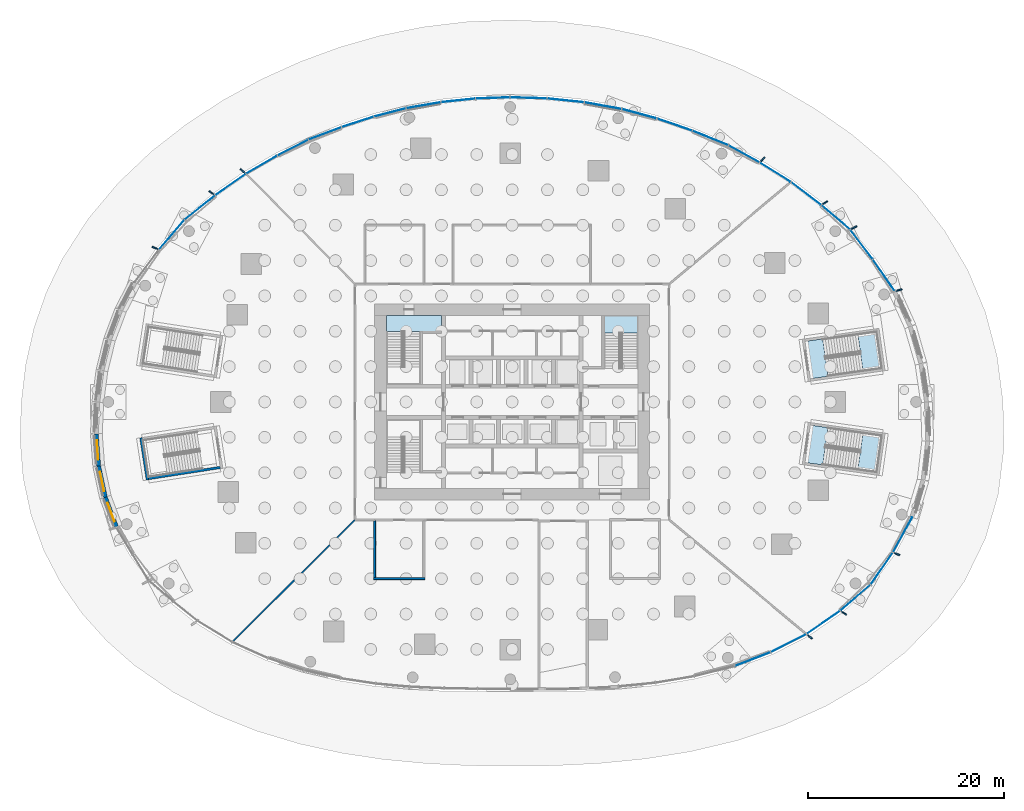
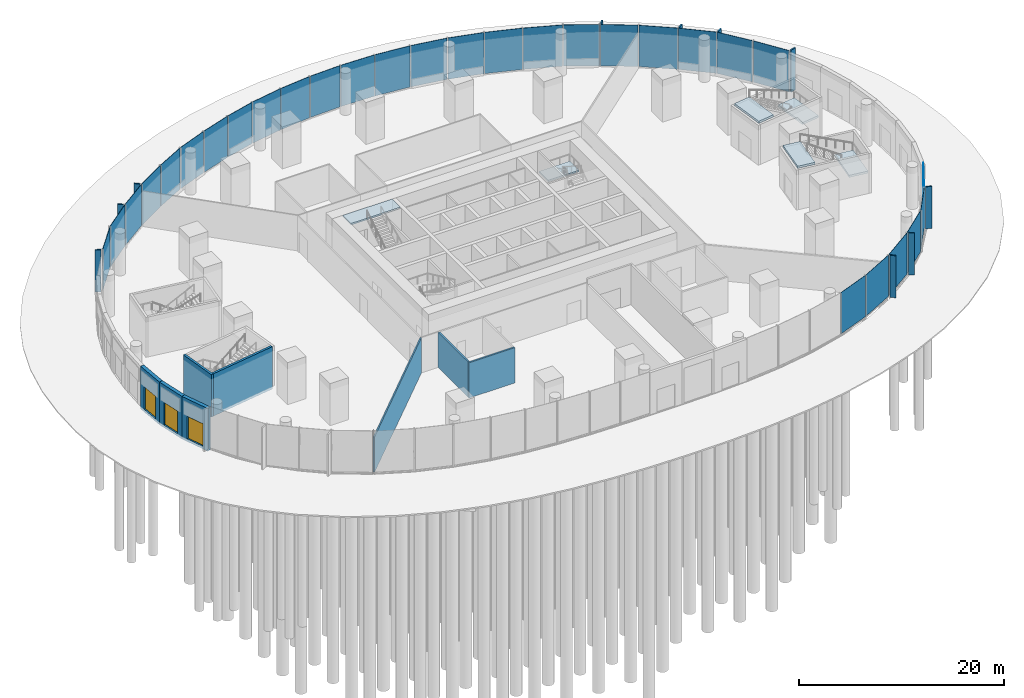
# One storey, part 11 of 29: 39 plates, 8 walls, 6 slabs, 3 doors, 3 openings, 14 elements without a shape of their own.
"""IFC4 building model written with IfcOpenShell, lengths in metres."""

from ifc_helpers import new_model, si_unit, direction, frame, frame_2d, origin, origin_2d, place, context, subcontext, project, spatial, polyline, rectangle, outline, extrude, material, layer, layer_set, type_object, element, fill, aggregate, save


model = new_model("IFC4")

# Units and contexts
model_context = context("Model", 3, precision=1e-05, world=origin(), true_north=direction((0.0, 1.0)))
body_context = subcontext(model_context, "Body", "Model", "MODEL_VIEW")
ifc_project = project(units=[si_unit("LENGTHUNIT", "METRE"), si_unit("AREAUNIT", "SQUARE_METRE"), si_unit("VOLUMEUNIT", "CUBIC_METRE"), si_unit("PLANEANGLEUNIT", "RADIAN"), si_unit("MASSUNIT", "GRAM", prefix="KILO")], contexts=[model_context])

# Site, building, storey
site_placement = place(None, origin())
site = spatial("IfcSite", under=ifc_project, at=site_placement, CompositionType="ELEMENT")
building_placement = place(site_placement, origin())
building = spatial("IfcBuilding", under=site, at=building_placement, Name="Ghaith Harvest Tower", CompositionType="ELEMENT")
storey_placement = place(building_placement, origin())
storey = spatial("IfcBuildingStorey", under=building, at=storey_placement, Name="L00", CompositionType="ELEMENT", Elevation=0.0)

# Curtain wall, plates
ifc_material_1 = material(Name="Black anodised aluminium and fritted glass", Category="aluminium")
curtain_wall_type = type_object("IfcCurtainWallType", Name="CW-P CURTAIN WALL", PredefinedType="NOTDEFINED", material=ifc_material_1)
curtain_wall_1_placement = place(storey_placement, origin())
curtain_wall_1 = element("IfcCurtainWall", 1, at=curtain_wall_1_placement, inside=storey, type_object=curtain_wall_type, Name="Curtain wall CW-P bay 02 L00", PredefinedType="NOTDEFINED")
ifc_material_2 = material(Name="Glass, dark solar-control fritted double glazed unit", Category="glass")
ifc_layer_1 = layer(ifc_material_2, 0.035888671875)
ifc_layer_set_1 = layer_set([ifc_layer_1], Name="CW-P VISION PANEL")
plate_type_1 = type_object("IfcPlateType", Name="CW-P VISION PANEL", PredefinedType="CURTAIN_PANEL", material=ifc_layer_set_1)
plate_1_placement = place(storey_placement, frame((37.86181640625, 12.89599609375, 0.080078125), z_axis=(0.0, 0.0, 1.0), x_axis=(-0.568319762502, 0.822807782869, 0.0)))
plate_1 = element("IfcPlate", 2, at=plate_1_placement, type_object=plate_type_1, Name="CW-P glass unit 1 bay 02 L00", PredefinedType="CURTAIN_PANEL", context=body_context, shape_type="SweptSolid", body=[
    extrude(rectangle(XDim=3.87744140625, YDim=0.035888671875, at=origin_2d()), origin(), (0.0, 0.0, 1.0), 4.919921875),
])
plate_2_placement = place(storey_placement, frame((35.58056640625, 16.040283203125, 0.080078125), z_axis=(0.0, 0.0, 1.0), x_axis=(-0.606572464955, 0.79502820375, 0.0)))
plate_2 = element("IfcPlate", 3, at=plate_2_placement, type_object=plate_type_1, Name="CW-P glass unit 2 bay 02 L00", PredefinedType="CURTAIN_PANEL", context=body_context, shape_type="SweptSolid", body=[
    extrude(rectangle(XDim=3.734375, YDim=0.035888671875, at=origin_2d()), origin(), (0.0, 0.0, 1.0), 4.919921875),
])
plate_3_placement = place(storey_placement, frame((32.95703125, 18.798583984375, 0.080078125), z_axis=(0.0, 0.0, 1.0), x_axis=(-0.763058226753, 0.646329747563, 0.0)))
plate_3 = element("IfcPlate", 4, at=plate_3_placement, type_object=plate_type_1, Name="CW-P glass unit 3 bay 02 L00", PredefinedType="CURTAIN_PANEL", context=body_context, shape_type="SweptSolid", body=[
    extrude(rectangle(XDim=3.763916015625, YDim=0.035888671875, at=origin_2d()), origin(), (0.0, 0.0, 1.0), 4.919921875),
])
aggregate(curtain_wall_1, [plate_1, plate_2, plate_3])

curtain_wall_2_placement = place(storey_placement, origin())
curtain_wall_2 = element("IfcCurtainWall", 5, at=curtain_wall_2_placement, inside=storey, type_object=curtain_wall_type, Name="Curtain wall CW-P bay 03 L00", PredefinedType="NOTDEFINED")
plate_4_placement = place(storey_placement, frame((29.939208984375, 21.217529296875, 0.080078125), z_axis=(0.0, 0.0, 1.0), x_axis=(-0.796789304004, 0.604257234152, 0.0)))
plate_4 = element("IfcPlate", 6, at=plate_4_placement, type_object=plate_type_1, Name="CW-P glass unit 1 bay 03 L00", PredefinedType="CURTAIN_PANEL", context=body_context, shape_type="SweptSolid", body=[
    extrude(rectangle(XDim=3.814208984375, YDim=0.035888671875, at=origin_2d()), origin(), (0.0, 0.0, 1.0), 4.919921875),
])
plate_5_placement = place(storey_placement, frame((26.792236328125, 23.390625, 0.080078125), z_axis=(0.0, 0.0, 1.0), x_axis=(-0.848104662125, 0.529828729008, 0.0)))
plate_5 = element("IfcPlate", 7, at=plate_5_placement, type_object=plate_type_1, Name="CW-P glass unit 2 bay 03 L00", PredefinedType="CURTAIN_PANEL", context=body_context, shape_type="SweptSolid", body=[
    extrude(rectangle(XDim=3.68212890625, YDim=0.035888671875, at=origin_2d()), origin(), (0.0, 0.0, 1.0), 4.919921875),
])
plate_6_placement = place(storey_placement, frame((23.61669921875, 25.259765625, 0.080078125), z_axis=(0.0, 0.0, 1.0), x_axis=(-0.875433237437, 0.483339059865, 0.0)))
plate_6 = element("IfcPlate", 8, at=plate_6_placement, type_object=plate_type_1, Name="CW-P glass unit 3 bay 03 L00", PredefinedType="CURTAIN_PANEL", context=body_context, shape_type="SweptSolid", body=[
    extrude(rectangle(XDim=3.5302734375, YDim=0.035888671875, at=origin_2d()), origin(), (0.0, 0.0, 1.0), 4.919921875),
])
aggregate(curtain_wall_2, [plate_4, plate_5, plate_6])

curtain_wall_3_placement = place(storey_placement, origin())
curtain_wall_3 = element("IfcCurtainWall", 9, at=curtain_wall_3_placement, inside=storey, type_object=curtain_wall_type, Name="Curtain wall CW-P bay 04 L00", PredefinedType="NOTDEFINED")
plate_7_placement = place(storey_placement, frame((20.19189453125, 26.87744140625, 0.080078125), z_axis=(0.0, 0.0, 1.0), x_axis=(-0.927191364168, 0.374588005964, 0.0)))
plate_7 = element("IfcPlate", 10, at=plate_7_placement, type_object=plate_type_1, Name="CW-P glass unit 1 bay 04 L00", PredefinedType="CURTAIN_PANEL", context=body_context, shape_type="SweptSolid", body=[
    extrude(rectangle(XDim=3.89892578125, YDim=0.035888671875, at=origin_2d()), origin(), (0.0, 0.0, 1.0), 4.919921875),
])
plate_8_placement = place(storey_placement, frame((16.54150390625, 28.243896484375, 0.080078125), z_axis=(0.0, 0.0, 1.0), x_axis=(-0.945624046403, 0.325261683672, 0.0)))
plate_8 = element("IfcPlate", 11, at=plate_8_placement, type_object=plate_type_1, Name="CW-P glass unit 2 bay 04 L00", PredefinedType="CURTAIN_PANEL", context=body_context, shape_type="SweptSolid", body=[
    extrude(rectangle(XDim=3.739013671875, YDim=0.035888671875, at=origin_2d()), origin(), (0.0, 0.0, 1.0), 4.919921875),
])
plate_9_placement = place(storey_placement, frame((12.944091796875, 29.3486328125, 0.080078125), z_axis=(0.0, 0.0, 1.0), x_axis=(-0.965444604575, 0.260608356539, 0.0)))
plate_9 = element("IfcPlate", 12, at=plate_9_placement, type_object=plate_type_1, Name="CW-P glass unit 3 bay 04 L00", PredefinedType="CURTAIN_PANEL", context=body_context, shape_type="SweptSolid", body=[
    extrude(rectangle(XDim=3.6318359375, YDim=0.035888671875, at=origin_2d()), origin(), (0.0, 0.0, 1.0), 4.919921875),
])
aggregate(curtain_wall_3, [plate_7, plate_8, plate_9])

curtain_wall_4_placement = place(storey_placement, origin())
curtain_wall_4 = element("IfcCurtainWall", 13, at=curtain_wall_4_placement, inside=storey, type_object=curtain_wall_type, Name="Curtain wall CW-P bay 05 L00", PredefinedType="NOTDEFINED")
plate_10_placement = place(storey_placement, frame((9.248779296875, 30.17333984375, 0.080078125), z_axis=(0.0, 0.0, 1.0), x_axis=(-0.984324537633, 0.176366676597, 0.0)))
plate_10 = element("IfcPlate", 14, at=plate_10_placement, type_object=plate_type_1, Name="CW-P glass unit 1 bay 05 L00", PredefinedType="CURTAIN_PANEL", context=body_context, shape_type="SweptSolid", body=[
    extrude(rectangle(XDim=3.787841796875, YDim=0.035888671875, at=origin_2d()), origin(), (0.0, 0.0, 1.0), 4.919921875),
])
plate_11_placement = place(storey_placement, frame((5.452880859375, 30.711669921875, 0.080078125), z_axis=(0.0, 0.0, 1.0), x_axis=(-0.994606630685, 0.103719092734, 0.0)))
plate_11 = element("IfcPlate", 15, at=plate_11_placement, type_object=plate_type_1, Name="CW-P glass unit 2 bay 05 L00", PredefinedType="CURTAIN_PANEL", context=body_context, shape_type="SweptSolid", body=[
    extrude(rectangle(XDim=3.72509765625, YDim=0.035888671875, at=origin_2d()), origin(), (0.0, 0.0, 1.0), 4.919921875),
])
plate_12_placement = place(storey_placement, frame((1.674072265625, 30.96435546875, 0.080078125), z_axis=(0.0, 0.0, 1.0), x_axis=(-0.999570129731, 0.0293181812, 0.0)))
plate_12 = element("IfcPlate", 16, at=plate_12_placement, type_object=plate_type_1, Name="CW-P glass unit 3 bay 05 L00", PredefinedType="CURTAIN_PANEL", context=body_context, shape_type="SweptSolid", body=[
    extrude(rectangle(XDim=3.6943359375, YDim=0.035888671875, at=origin_2d()), origin(), (0.0, 0.0, 1.0), 4.919921875),
])
aggregate(curtain_wall_4, [plate_10, plate_11, plate_12])

curtain_wall_5_placement = place(storey_placement, origin())
curtain_wall_5 = element("IfcCurtainWall", 17, at=curtain_wall_5_placement, inside=storey, type_object=curtain_wall_type, Name="Curtain wall CW-P bay 06 L00", PredefinedType="NOTDEFINED")
plate_13_placement = place(storey_placement, frame((-1.970458984375, 30.958740234375, 0.080078125), z_axis=(0.0, 0.0, 1.0), x_axis=(-0.99939937953, -0.034653718343, 0.0)))
plate_13 = element("IfcPlate", 18, at=plate_13_placement, type_object=plate_type_1, Name="CW-P glass unit 1 bay 06 L00", PredefinedType="CURTAIN_PANEL", context=body_context, shape_type="SweptSolid", body=[
    extrude(rectangle(XDim=3.4384765625, YDim=0.035888671875, at=origin_2d()), origin(), (0.0, 0.0, 1.0), 4.919921875),
])
plate_14_placement = place(storey_placement, frame((-5.4921875, 30.71240234375, 0.080078125), z_axis=(0.0, 0.0, 1.0), x_axis=(-0.994524938155, -0.104499509031, 0.0)))
plate_14 = element("IfcPlate", 19, at=plate_14_placement, type_object=plate_type_1, Name="CW-P glass unit 2 bay 06 L00", PredefinedType="CURTAIN_PANEL", context=body_context, shape_type="SweptSolid", body=[
    extrude(rectangle(XDim=3.46630859375, YDim=0.035888671875, at=origin_2d()), origin(), (0.0, 0.0, 1.0), 4.919921875),
])
plate_15_placement = place(storey_placement, frame((-9.029052734375, 30.218505859375, 0.080078125), z_axis=(0.0, 0.0, 1.0), x_axis=(-0.985183345392, -0.171504448814, 0.0)))
plate_15 = element("IfcPlate", 20, at=plate_15_placement, type_object=plate_type_1, Name="CW-P glass unit 3 bay 06 L00", PredefinedType="CURTAIN_PANEL", context=body_context, shape_type="SweptSolid", body=[
    extrude(rectangle(XDim=3.5205078125, YDim=0.035888671875, at=origin_2d()), origin(), (0.0, 0.0, 1.0), 4.919921875),
])
aggregate(curtain_wall_5, [plate_13, plate_14, plate_15])

curtain_wall_6_placement = place(storey_placement, origin())
curtain_wall_6 = element("IfcCurtainWall", 21, at=curtain_wall_6_placement, inside=storey, type_object=curtain_wall_type, Name="Curtain wall CW-P bay 07 L00", PredefinedType="NOTDEFINED")
plate_16_placement = place(storey_placement, frame((-12.441162109375, 29.484619140625, 0.080078125), z_axis=(0.0, 0.0, 1.0), x_axis=(-0.967939505132, -0.251183427805, 0.0)))
plate_16 = element("IfcPlate", 22, at=plate_16_placement, type_object=plate_type_1, Name="CW-P glass unit 1 bay 07 L00", PredefinedType="CURTAIN_PANEL", context=body_context, shape_type="SweptSolid", body=[
    extrude(rectangle(XDim=3.30517578125, YDim=0.035888671875, at=origin_2d()), origin(), (0.0, 0.0, 1.0), 4.919921875),
])
plate_17_placement = place(storey_placement, frame((-15.7294921875, 28.52197265625, 0.080078125), z_axis=(0.0, 0.0, 1.0), x_axis=(-0.950850408978, -0.309650609149, 0.0)))
plate_17 = element("IfcPlate", 23, at=plate_17_placement, type_object=plate_type_1, Name="CW-P glass unit 2 bay 07 L00", PredefinedType="CURTAIN_PANEL", context=body_context, shape_type="SweptSolid", body=[
    extrude(rectangle(XDim=3.390869140625, YDim=0.035888671875, at=origin_2d()), origin(), (0.0, 0.0, 1.0), 4.919921875),
])
plate_18_placement = place(storey_placement, frame((-19.0634765625, 27.349365234375, 0.080078125), z_axis=(0.0, 0.0, 1.0), x_axis=(-0.935612347435, -0.353029085667, 0.0)))
plate_18 = element("IfcPlate", 24, at=plate_18_placement, type_object=plate_type_1, Name="CW-P glass unit 3 bay 07 L00", PredefinedType="CURTAIN_PANEL", context=body_context, shape_type="SweptSolid", body=[
    extrude(rectangle(XDim=3.51904296875, YDim=0.035888671875, at=origin_2d()), origin(), (0.0, 0.0, 1.0), 4.919921875),
])
aggregate(curtain_wall_6, [plate_16, plate_17, plate_18])

curtain_wall_7_placement = place(storey_placement, origin())
curtain_wall_7 = element("IfcCurtainWall", 25, at=curtain_wall_7_placement, inside=storey, type_object=curtain_wall_type, Name="Curtain wall CW-P bay 08 L00", PredefinedType="NOTDEFINED")
plate_19_placement = place(storey_placement, frame((-22.32763671875, 25.904541015625, 0.080078125), z_axis=(0.0, 0.0, 1.0), x_axis=(-0.890032995801, -0.455896113589, 0.0)))
plate_19 = element("IfcPlate", 26, at=plate_19_placement, type_object=plate_type_1, Name="CW-P glass unit 1 bay 08 L00", PredefinedType="CURTAIN_PANEL", context=body_context, shape_type="SweptSolid", body=[
    extrude(rectangle(XDim=3.4716796875, YDim=0.035888671875, at=origin_2d()), origin(), (0.0, 0.0, 1.0), 4.919921875),
])
plate_20_placement = place(storey_placement, frame((-25.5068359375, 24.167236328125, 0.080078125), z_axis=(0.0, 0.0, 1.0), x_axis=(-0.864982081732, -0.50180274838, 0.0)))
plate_20 = element("IfcPlate", 27, at=plate_20_placement, type_object=plate_type_1, Name="CW-P glass unit 2 bay 08 L00", PredefinedType="CURTAIN_PANEL", context=body_context, shape_type="SweptSolid", body=[
    extrude(rectangle(XDim=3.616943359375, YDim=0.035888671875, at=origin_2d()), origin(), (0.0, 0.0, 1.0), 4.919921875),
])
plate_21_placement = place(storey_placement, frame((-28.675048828125, 22.14208984375, 0.080078125), z_axis=(0.0, 0.0, 1.0), x_axis=(-0.819391761337, -0.573233932572, 0.0)))
plate_21 = element("IfcPlate", 28, at=plate_21_placement, type_object=plate_type_1, Name="CW-P glass unit 3 bay 08 L00", PredefinedType="CURTAIN_PANEL", context=body_context, shape_type="SweptSolid", body=[
    extrude(rectangle(XDim=3.750244140625, YDim=0.035888671875, at=origin_2d()), origin(), (0.0, 0.0, 1.0), 4.919921875),
])
aggregate(curtain_wall_7, [plate_19, plate_20, plate_21])

curtain_wall_8_placement = place(storey_placement, origin())
curtain_wall_8 = element("IfcCurtainWall", 29, at=curtain_wall_8_placement, inside=storey, type_object=curtain_wall_type, Name="Curtain wall CW-P bay 09 L00", PredefinedType="NOTDEFINED")
plate_22_placement = place(storey_placement, frame((-31.806884765625, 19.8017578125, 0.080078125), z_axis=(0.0, 0.0, 1.0), x_axis=(-0.782713046151, -0.622382749909, 0.0)))
plate_22 = element("IfcPlate", 30, at=plate_22_placement, type_object=plate_type_1, Name="CW-P glass unit 1 bay 09 L00", PredefinedType="CURTAIN_PANEL", context=body_context, shape_type="SweptSolid", body=[
    extrude(rectangle(XDim=3.91259765625, YDim=0.035888671875, at=origin_2d()), origin(), (0.0, 0.0, 1.0), 4.919921875),
])
plate_23_placement = place(storey_placement, frame((-34.66845703125, 17.036865234375, 0.080078125), z_axis=(0.0, 0.0, 1.0), x_axis=(-0.649171988298, -0.760641656504, 0.0)))
plate_23 = element("IfcPlate", 31, at=plate_23_placement, type_object=plate_type_1, Name="CW-P glass unit 2 bay 09 L00", PredefinedType="CURTAIN_PANEL", context=body_context, shape_type="SweptSolid", body=[
    extrude(rectangle(XDim=3.922607421875, YDim=0.035888671875, at=origin_2d()), origin(), (0.0, 0.0, 1.0), 4.919921875),
])
aggregate(curtain_wall_8, [plate_22, plate_23])

curtain_wall_9_placement = place(storey_placement, origin())
curtain_wall_9 = element("IfcCurtainWall", 32, at=curtain_wall_9_placement, inside=storey, type_object=curtain_wall_type, Name="Curtain wall CW-P bay 18 L00", PredefinedType="NOTDEFINED")
plate_24_placement = place(storey_placement, frame((24.50927734375, -26.193603515625, 0.080078125), z_axis=(0.0, 0.0, 1.0), x_axis=(0.933706409347, 0.358039580416, 0.0)))
plate_24 = element("IfcPlate", 33, at=plate_24_placement, type_object=plate_type_1, Name="CW-P glass unit 1 bay 18 L00", PredefinedType="CURTAIN_PANEL", context=body_context, shape_type="SweptSolid", body=[
    extrude(rectangle(XDim=3.838623046875, YDim=0.035888671875, at=origin_2d()), origin(), (0.0, 0.0, 1.0), 4.919921875),
])
plate_25_placement = place(storey_placement, frame((28.1552734375, -24.56787109375, 0.080078125), z_axis=(0.0, 0.0, 1.0), x_axis=(0.891266896046, 0.453479128531, 0.0)))
plate_25 = element("IfcPlate", 34, at=plate_25_placement, type_object=plate_type_1, Name="CW-P glass unit 2 bay 18 L00", PredefinedType="CURTAIN_PANEL", context=body_context, shape_type="SweptSolid", body=[
    extrude(rectangle(XDim=3.996337890625, YDim=0.035888671875, at=origin_2d()), origin(), (0.0, 0.0, 1.0), 4.919921875),
])
plate_26_placement = place(storey_placement, frame((31.693603515625, -22.454833984375, 0.080078125), z_axis=(0.0, 0.0, 1.0), x_axis=(0.822893098404, 0.568196223676, 0.0)))
plate_26 = element("IfcPlate", 35, at=plate_26_placement, type_object=plate_type_1, Name="CW-P glass unit 3 bay 18 L00", PredefinedType="CURTAIN_PANEL", context=body_context, shape_type="SweptSolid", body=[
    extrude(rectangle(XDim=4.104736328125, YDim=0.035888671875, at=origin_2d()), origin(), (0.0, 0.0, 1.0), 4.919921875),
])
aggregate(curtain_wall_9, [plate_24, plate_25, plate_26])

curtain_wall_10_placement = place(storey_placement, origin())
curtain_wall_10 = element("IfcCurtainWall", 36, at=curtain_wall_10_placement, inside=storey, type_object=curtain_wall_type, Name="Curtain wall CW-P bay 19 L00", PredefinedType="NOTDEFINED")
plate_27_placement = place(storey_placement, frame((34.957763671875, -19.940673828125, 0.080078125), z_axis=(0.0, 0.0, 1.0), x_axis=(0.758467415439, 0.651710963324, 0.0)))
plate_27 = element("IfcPlate", 37, at=plate_27_placement, type_object=plate_type_1, Name="CW-P glass unit 1 bay 19 L00", PredefinedType="CURTAIN_PANEL", context=body_context, shape_type="SweptSolid", body=[
    extrude(rectangle(XDim=3.98681640625, YDim=0.035888671875, at=origin_2d()), origin(), (0.0, 0.0, 1.0), 4.919921875),
])
plate_28_placement = place(storey_placement, frame((37.639892578125, -16.973388671875, 0.080078125), z_axis=(0.0, 0.0, 1.0), x_axis=(0.570248867326, 0.821471989366, 0.0)))
plate_28 = element("IfcPlate", 38, at=plate_28_placement, type_object=plate_type_1, Name="CW-P glass unit 2 bay 19 L00", PredefinedType="CURTAIN_PANEL", context=body_context, shape_type="SweptSolid", body=[
    extrude(rectangle(XDim=3.917724609375, YDim=0.035888671875, at=origin_2d()), origin(), (0.0, 0.0, 1.0), 4.919921875),
])
plate_29_placement = place(storey_placement, frame((39.7666015625, -13.534912109375, 0.080078125), z_axis=(0.0, 0.0, 1.0), x_axis=(0.481454224792, 0.876471237081, 0.0)))
plate_29 = element("IfcPlate", 39, at=plate_29_placement, type_object=plate_type_1, Name="CW-P glass unit 3 bay 19 L00", PredefinedType="CURTAIN_PANEL", context=body_context, shape_type="SweptSolid", body=[
    extrude(rectangle(XDim=4.01953125, YDim=0.035888671875, at=origin_2d()), origin(), (0.0, 0.0, 1.0), 4.919921875),
])
aggregate(curtain_wall_10, [plate_27, plate_28, plate_29])

# Stair, slab
ifc_material_3 = material(Name="Concrete C40/50, precast", Category="concrete")
stair_type_1 = type_object("IfcStairType", Name="CORE STAIR 28R", PredefinedType="HALF_TURN_STAIR", material=ifc_material_3)
stair_1_placement = place(storey_placement, origin())
stair_1 = element("IfcStair", 40, at=stair_1_placement, inside=storey, type_object=stair_type_1, Name="Stair ST1 L00", PredefinedType="HALF_TURN_STAIR")
ifc_material_4 = material(Name="Concrete C40/50, precast", Category="concrete")
ifc_layer_2 = layer(ifc_material_4, 0.179931640625)
ifc_layer_set_2 = layer_set([ifc_layer_2], Name="STAIR LANDING 180")
slab_type_1 = type_object("IfcSlabType", Name="STAIR LANDING 180", PredefinedType="LANDING", material=ifc_layer_set_2)
slab_1_placement = place(storey_placement, frame((0.0, 0.0, 4.820068359375)))
slab_1 = element("IfcSlab", 41, at=slab_1_placement, type_object=slab_type_1, Name="ST1 landing 2", PredefinedType="LANDING", context=body_context, shape_type="SweptSolid", body=[
    extrude(outline(polyline([(-12.800048828125, 8.800048828125), (-12.800048828125, 7.199951171875), (-7.199951171875, 7.199951171875), (-7.199951171875, 8.800048828125), (-12.800048828125, 8.800048828125)])), origin(), (0.0, 0.0, 1.0), 0.179931640625),
])
aggregate(stair_1, [slab_1])

stair_2_placement = place(storey_placement, origin())
stair_2 = element("IfcStair", 42, at=stair_2_placement, inside=storey, type_object=stair_type_1, Name="Stair ST2 L00", PredefinedType="HALF_TURN_STAIR")
slab_2_placement = place(storey_placement, frame((0.0, 0.0, 2.320068359375)))
slab_2 = element("IfcSlab", 43, at=slab_2_placement, type_object=slab_type_1, Name="ST2 landing 1", PredefinedType="LANDING", context=body_context, shape_type="SweptSolid", body=[
    extrude(outline(polyline([(12.800048828125, 7.02001953125), (12.800048828125, 8.800048828125), (9.35009765625, 8.800048828125), (9.35009765625, 7.02001953125), (12.800048828125, 7.02001953125)])), origin(), (0.0, 0.0, 1.0), 0.179931640625),
])
aggregate(stair_2, [slab_2])

# Stair, slabs
ifc_material_5 = material(Name="Concrete C40/50, precast", Category="concrete")
stair_type_2 = type_object("IfcStairType", Name="PODIUM STAIR 28R", PredefinedType="HALF_TURN_STAIR", material=ifc_material_5)
stair_3_placement = place(storey_placement, origin())
stair_3 = element("IfcStair", 44, at=stair_3_placement, inside=storey, type_object=stair_type_2, Name="Stair PS1 L00", PredefinedType="HALF_TURN_STAIR")
ifc_material_6 = material(Name="Concrete C40/50, precast", Category="concrete")
ifc_layer_3 = layer(ifc_material_6, 0.25)
ifc_layer_set_3 = layer_set([ifc_layer_3], Name="STAIR LANDING 250")
slab_type_2 = type_object("IfcSlabType", Name="STAIR LANDING 250", PredefinedType="LANDING", material=ifc_layer_set_3)
slab_3_placement = place(storey_placement, frame((0.0, 0.0, 2.25)))
slab_3 = element("IfcSlab", 45, at=slab_3_placement, type_object=slab_type_2, Name="PS1 landing 1", PredefinedType="LANDING", context=body_context, shape_type="SweptSolid", body=[
    extrude(outline(polyline([(35.736083984375, 3.116455078125), (37.696533203125, 3.39404296875), (37.15673828125, 7.2060546875), (35.1962890625, 6.928466796875), (35.736083984375, 3.116455078125)])), origin(), (0.0, 0.0, 1.0), 0.25),
])
slab_4_placement = place(storey_placement, frame((0.0, 0.0, 4.75)))
slab_4 = element("IfcSlab", 46, at=slab_4_placement, type_object=slab_type_2, Name="PS1 landing 2", PredefinedType="LANDING", context=body_context, shape_type="SweptSolid", body=[
    extrude(outline(polyline([(30.36962890625, 2.3564453125), (32.171630859375, 2.61181640625), (31.6318359375, 6.423583984375), (29.829833984375, 6.16845703125), (30.36962890625, 2.3564453125)])), origin(), (0.0, 0.0, 1.0), 0.25),
])
aggregate(stair_3, [slab_3, slab_4])

stair_4_placement = place(storey_placement, origin())
stair_4 = element("IfcStair", 47, at=stair_4_placement, inside=storey, type_object=stair_type_2, Name="Stair PS4 L00", PredefinedType="HALF_TURN_STAIR")
slab_5_placement = place(storey_placement, frame((0.0, 0.0, 2.25)))
slab_5 = element("IfcSlab", 48, at=slab_5_placement, type_object=slab_type_2, Name="PS4 landing 1", PredefinedType="LANDING", context=body_context, shape_type="SweptSolid", body=[
    extrude(outline(polyline([(35.1962890625, -6.928466796875), (37.15673828125, -7.2060546875), (37.696533203125, -3.39404296875), (35.736083984375, -3.116455078125), (35.1962890625, -6.928466796875)])), origin(), (0.0, 0.0, 1.0), 0.25),
])
slab_6_placement = place(storey_placement, frame((0.0, 0.0, 4.75)))
slab_6 = element("IfcSlab", 49, at=slab_6_placement, type_object=slab_type_2, Name="PS4 landing 2", PredefinedType="LANDING", context=body_context, shape_type="SweptSolid", body=[
    extrude(outline(polyline([(29.829833984375, -6.16845703125), (31.6318359375, -6.423583984375), (32.171630859375, -2.61181640625), (30.36962890625, -2.3564453125), (29.829833984375, -6.16845703125)])), origin(), (0.0, 0.0, 1.0), 0.25),
])
aggregate(stair_4, [slab_5, slab_6])

# Plates
ifc_material_7 = material(Name="Glassfibre-reinforced concrete", Category="concrete")
ifc_layer_4 = layer(ifc_material_7, 0.14990234375)
ifc_layer_set_4 = layer_set([ifc_layer_4], Name="SUN-BREAKER FIN 600x150")
plate_type_2 = type_object("IfcPlateType", Name="SUN-BREAKER FIN 600x150", PredefinedType="USERDEFINED", material=ifc_layer_set_4)
for number, where, z_axis, x_axis, name in (
    (50, (39.418701171875, 11.392822265625, 0.0), (0.0, 0.0, 1.0), (0.960680349985, 0.277656739792, 0.0), "Sun-breaker fin CW-P 1 bay 02 L00"),
    (51, (34.824462890625, 17.760986328125, 0.0), (0.0, 0.0, 1.0), (0.890830752257, 0.454335306611, 0.0), "Sun-breaker fin CW-P 3 bay 02 L00"),
    (52, (31.8701171875, 20.282470703125, 0.0), (0.0, 0.0, 1.0), (0.843643971464, 0.536903016766, 0.0), "Sun-breaker fin CW-P 1 bay 03 L00"),
    (53, (25.5205078125, 24.7001953125, 0.0), (0.0, 0.0, 1.0), (0.7185589652, 0.69546604053, 0.0), "Sun-breaker fin CW-P 3 bay 03 L00"),
    (54, (-27.447509765625, 23.53271484375, 0.0), (0.0, 0.0, 1.0), (-0.759169742643, 0.650892696115, 0.0), "Sun-breaker fin CW-P 3 bay 08 L00"),
    (55, (-30.613525390625, 21.30126953125, 0.0), (0.0, 0.0, 1.0), (-0.820845486523, 0.571150319316, 0.0), "Sun-breaker fin CW-P 1 bay 09 L00"),
    (56, (-36.380859375, 15.693115234375, 0.0), (0.0, 0.0, 1.0), (-0.918217993215, 0.396075392995, 0.0), "Sun-breaker fin CW-P 3 bay 09 L00"),
    (57, (30.324951171875, -23.92236328125, 0.0), (0.0, 0.0, 1.0), (0.785114680351, -0.619350416725, 0.0), "Sun-breaker fin CW-P 3 bay 18 L00"),
    (58, (33.795166015625, -21.507568359375, 0.0), (0.0, 0.0, 1.0), (0.84364397137, -0.536903016913, 0.0), "Sun-breaker fin CW-P 1 bay 19 L00"),
    (59, (39.1982421875, -15.496826171875, 0.0), (0.0, 0.0, 1.0), (0.929960843071, -0.367658578513, 0.0), "Sun-breaker fin CW-P 3 bay 19 L00"),
):
    element("IfcPlate", number, at=place(storey_placement, frame(where, z_axis=z_axis, x_axis=x_axis)), inside=storey, type_object=plate_type_2, Name=name, ObjectType="SUN-BREAKER FIN", PredefinedType="USERDEFINED", context=body_context, shape_type="SweptSolid", body=[
        extrude(rectangle(XDim=0.60009765625, YDim=0.14990234375, at=origin_2d()), origin(), (0.0, 0.0, 1.0), 5.0),
    ])

# Walls
ifc_material_8 = material(Name="Twin-stud gypsum board, acoustic", Category="gypsum")
ifc_layer_5 = layer(ifc_material_8, 0.199951171875)
ifc_layer_set_5 = layer_set([ifc_layer_5], Name="ACOUSTIC PARTITION 200")
wall_type_1 = type_object("IfcWallType", Name="ACOUSTIC PARTITION 200", PredefinedType="PARTITIONING", material=ifc_layer_set_5)
wall_1_placement = place(storey_placement, frame((-14.10009765625, -18.0, 0.0), z_axis=(0.0, 0.0, 1.0), x_axis=(1.0, 0.0, 0.0)))
element("IfcWall", 60, at=wall_1_placement, inside=storey, type_object=wall_type_1, Name="Partition L00-03", PredefinedType="PARTITIONING", context=body_context, shape_type="SweptSolid", body=[
    extrude(rectangle(XDim=5.2001953125, YDim=0.199951171875, at=frame_2d((2.60009765625, 0.0))), origin(), (0.0, 0.0, 1.0), 4.199951171875),
])
wall_2_placement = place(storey_placement, frame((-14.0, -17.89990234375, 0.0), z_axis=(0.0, 0.0, 1.0), x_axis=(0.0, 1.0, 0.0)))
element("IfcWall", 61, at=wall_2_placement, inside=storey, type_object=wall_type_1, Name="Partition L00-03", PredefinedType="PARTITIONING", context=body_context, shape_type="SweptSolid", body=[
    extrude(rectangle(XDim=5.7998046875, YDim=0.199951171875, at=frame_2d((2.89990234375, 0.0))), origin(), (0.0, 0.0, 1.0), 4.199951171875),
])

# Wall, opening, door
ifc_material_9 = material(Name="Concrete C40/50, board-marked", Category="concrete")
ifc_layer_6 = layer(ifc_material_9, 0.39990234375)
ifc_layer_set_6 = layer_set([ifc_layer_6], Name="ENTRANCE PORTAL WALL 400")
wall_type_2 = type_object("IfcWallType", Name="ENTRANCE PORTAL WALL 400", PredefinedType="SOLIDWALL", material=ifc_layer_set_6)
wall_3_placement = place(storey_placement, frame((-42.344970703125, -3.25537109375, -0.300048828125), z_axis=(0.0, 0.0, 1.0), x_axis=(0.073260369669, -0.997312848727, 0.0)))
wall_3 = element("IfcWall", 62, at=wall_3_placement, inside=storey, type_object=wall_type_2, Name="Entrance portal wall 11.2", PredefinedType="SOLIDWALL", context=body_context, shape_type="SweptSolid", body=[
    extrude(rectangle(XDim=3.265869140625, YDim=0.39990234375, at=frame_2d((1.6328125, 0.0))), origin(), (0.0, 0.0, 1.0), 5.080078125),
])
opening_1_placement = place(wall_3_placement, frame((0.6328125, 0.0, 0.300048828125)))
opening_1 = element("IfcOpeningElement", 63, at=opening_1_placement, cuts=wall_3, Name="Opening ED112", PredefinedType="OPENING", context=body_context, shape_type="SweptSolid", body=[
    extrude(rectangle(XDim=2.0, YDim=2.699951171875, at=frame_2d((1.0, 1.35009765625))), frame((0.0, 0.2099609375, 0.0), z_axis=(0.0, -1.0, 0.0), x_axis=(1.0, 0.0, 0.0)), (0.0, 0.0, 1.0), 0.419921875),
])
ifc_material_10 = material(Name="Steel and glass, black", Category="steel")
door_type = type_object("IfcDoorType", Name="ENTRANCE DOOR PAIR 2000x2700", OperationType="DOUBLE_DOOR_DOUBLE_SWING", PredefinedType="DOOR", material=ifc_material_10)
door_1_placement = place(opening_1_placement, origin())
door_1 = element("IfcDoor", 64, at=door_1_placement, inside=storey, type_object=door_type, Name="Entrance doors 11.2", OperationType="DOUBLE_DOOR_DOUBLE_SWING", OverallHeight=2.699951171875, OverallWidth=2.0, PredefinedType="DOOR", context=body_context, shape_type="SweptSolid", body=[
    extrude(rectangle(XDim=2.0, YDim=2.699951171875, at=frame_2d((1.0, 1.35009765625))), frame((0.0, 0.02490234375, 0.0), z_axis=(0.0, -1.0, 0.0), x_axis=(1.0, 0.0, 0.0)), (0.0, 0.0, 1.0), 0.050048828125),
])
fill(opening_1, door_1)

wall_4_placement = place(storey_placement, frame((-42.105712890625, -6.512451171875, -0.300048828125), z_axis=(0.0, 0.0, 1.0), x_axis=(0.210024180065, -0.977696191968, 0.0)))
wall_4 = element("IfcWall", 65, at=wall_4_placement, inside=storey, type_object=wall_type_2, Name="Entrance portal wall 11.3", PredefinedType="SOLIDWALL", context=body_context, shape_type="SweptSolid", body=[
    extrude(rectangle(XDim=3.266357421875, YDim=0.39990234375, at=frame_2d((1.63330078125, 0.0))), origin(), (0.0, 0.0, 1.0), 5.080078125),
])
opening_2_placement = place(wall_4_placement, frame((0.63330078125, 0.0, 0.300048828125)))
opening_2 = element("IfcOpeningElement", 66, at=opening_2_placement, cuts=wall_4, Name="Opening ED113", PredefinedType="OPENING", context=body_context, shape_type="SweptSolid", body=[
    extrude(rectangle(XDim=2.0, YDim=2.699951171875, at=frame_2d((1.0, 1.35009765625))), frame((0.0, 0.2099609375, 0.0), z_axis=(0.0, -1.0, 0.0), x_axis=(1.0, 0.0, 0.0)), (0.0, 0.0, 1.0), 0.419921875),
])
door_2_placement = place(opening_2_placement, origin())
door_2 = element("IfcDoor", 67, at=door_2_placement, inside=storey, type_object=door_type, Name="Entrance doors 11.3", OperationType="DOUBLE_DOOR_DOUBLE_SWING", OverallHeight=2.699951171875, OverallWidth=2.0, PredefinedType="DOOR", context=body_context, shape_type="SweptSolid", body=[
    extrude(rectangle(XDim=2.0, YDim=2.699951171875, at=frame_2d((1.0, 1.35009765625))), frame((0.0, 0.02490234375, 0.0), z_axis=(0.0, -1.0, 0.0), x_axis=(1.0, 0.0, 0.0)), (0.0, 0.0, 1.0), 0.050048828125),
])
fill(opening_2, door_2)

wall_5_placement = place(storey_placement, frame((-41.419677734375, -9.7060546875, -0.300048828125), z_axis=(0.0, 0.0, 1.0), x_axis=(0.351049693791, -0.93635682968, 0.0)))
wall_5 = element("IfcWall", 68, at=wall_5_placement, inside=storey, type_object=wall_type_2, Name="Entrance portal wall 11.4", PredefinedType="SOLIDWALL", context=body_context, shape_type="SweptSolid", body=[
    extrude(rectangle(XDim=3.26513671875, YDim=0.39990234375, at=frame_2d((1.632568359375, 0.0))), origin(), (0.0, 0.0, 1.0), 5.080078125),
])
opening_3_placement = place(wall_5_placement, frame((0.632568359375, 0.0, 0.300048828125)))
opening_3 = element("IfcOpeningElement", 69, at=opening_3_placement, cuts=wall_5, Name="Opening ED114", PredefinedType="OPENING", context=body_context, shape_type="SweptSolid", body=[
    extrude(rectangle(XDim=2.0, YDim=2.699951171875, at=frame_2d((1.0, 1.35009765625))), frame((0.0, 0.2099609375, 0.0), z_axis=(0.0, -1.0, 0.0), x_axis=(1.0, 0.0, 0.0)), (0.0, 0.0, 1.0), 0.419921875),
])
door_3_placement = place(opening_3_placement, origin())
door_3 = element("IfcDoor", 70, at=door_3_placement, inside=storey, type_object=door_type, Name="Entrance doors 11.4", OperationType="DOUBLE_DOOR_DOUBLE_SWING", OverallHeight=2.699951171875, OverallWidth=2.0, PredefinedType="DOOR", context=body_context, shape_type="SweptSolid", body=[
    extrude(rectangle(XDim=2.0, YDim=2.699951171875, at=frame_2d((1.0, 1.35009765625))), frame((0.0, 0.02490234375, 0.0), z_axis=(0.0, -1.0, 0.0), x_axis=(1.0, 0.0, 0.0)), (0.0, 0.0, 1.0), 0.050048828125),
])
fill(opening_3, door_3)

# Walls
ifc_material_11 = material(Name="Gypsum board on steel studs", Category="steel")
ifc_layer_7 = layer(ifc_material_11, 0.14990234375)
ifc_layer_set_7 = layer_set([ifc_layer_7], Name="PARTITION 150")
wall_type_3 = type_object("IfcWallType", Name="PARTITION 150", PredefinedType="PARTITIONING", material=ifc_layer_set_7)
wall_6_placement = place(storey_placement, frame((-16.01416015625, -12.01416015625, 0.0), z_axis=(0.0, 0.0, 1.0), x_axis=(-0.708660986583, -0.705549152147, 0.0)))
element("IfcWall", 71, at=wall_6_placement, inside=storey, type_object=wall_type_3, Name="Partition L00 zone division", PredefinedType="PARTITIONING", context=body_context, shape_type="SweptSolid", body=[
    extrude(rectangle(XDim=17.49560546875, YDim=0.14990234375, at=frame_2d((8.747802734375, 0.0))), origin(), (0.0, 0.0, 1.0), 4.199951171875),
])
ifc_material_12 = material(Name="Concrete C40/50", Category="concrete")
ifc_layer_8 = layer(ifc_material_12, 0.25)
ifc_layer_set_8 = layer_set([ifc_layer_8], Name="STAIR ENCLOSURE WALL RC250")
wall_type_4 = type_object("IfcWallType", Name="STAIR ENCLOSURE WALL RC250", PredefinedType="SOLIDWALL", material=ifc_layer_set_8)
wall_7_placement = place(storey_placement, frame((-37.14697265625, -7.9462890625, -0.300048828125), z_axis=(0.0, 0.0, 1.0), x_axis=(-0.152828940605, 0.988252657428, 0.0)))
element("IfcWall", 72, at=wall_7_placement, inside=storey, type_object=wall_type_4, Name="Stair PS3 enclosure wall L00", PredefinedType="SOLIDWALL", context=body_context, shape_type="SweptSolid", body=[
    extrude(rectangle(XDim=4.349853515625, YDim=0.25, at=frame_2d((2.1748046875, 0.0))), origin(), (0.0, 0.0, 1.0), 5.050048828125),
])
wall_8_placement = place(storey_placement, frame((-37.04248046875, -7.8037109375, -0.300048828125), z_axis=(0.0, 0.0, 1.0), x_axis=(0.988248943707, 0.152852953068, 0.0)))
element("IfcWall", 73, at=wall_8_placement, inside=storey, type_object=wall_type_4, Name="Stair PS3 enclosure wall L00", PredefinedType="SOLIDWALL", context=body_context, shape_type="SweptSolid", body=[
    extrude(rectangle(XDim=7.39990234375, YDim=0.25, at=frame_2d((3.699951171875, 0.0))), origin(), (0.0, 0.0, 1.0), 5.050048828125),
])

save(model, "model.ifc")
